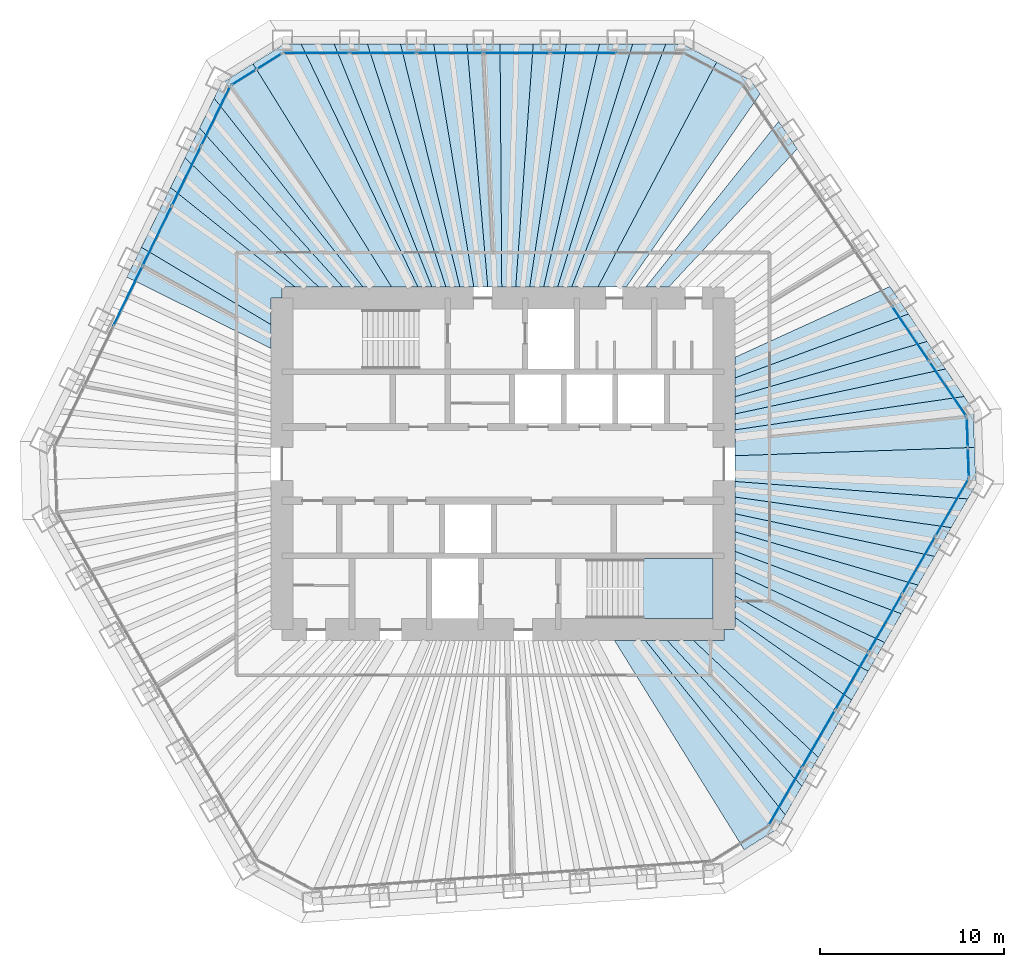
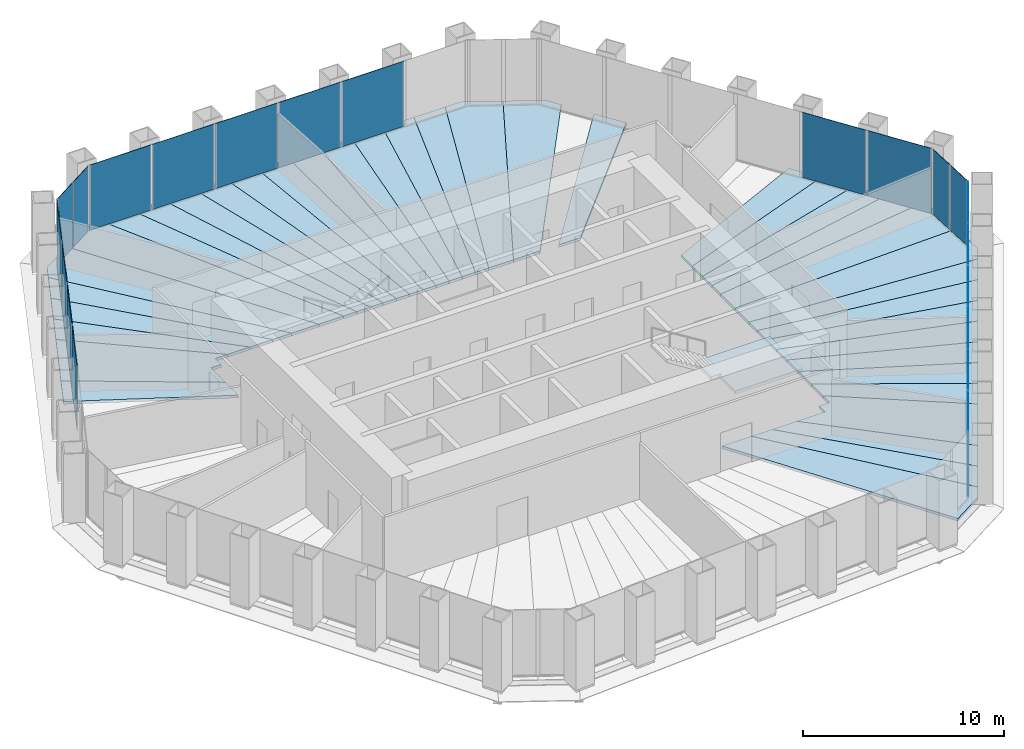
# One storey, part 9 of 13: 39 slabs, 21 plates, 7 elements without a shape of their own.
"""IFC4 building model written with IfcOpenShell, lengths in metres."""

from ifc_helpers import new_model, si_unit, direction, frame, origin, origin_2d, place, context, subcontext, project, spatial, polyline, rectangle, outline, extrude, material, layer, layer_set, type_object, element, aggregate, save


model = new_model("IFC4")

# Units and contexts
model_context = context("Model", 3, precision=1e-05, world=origin(), true_north=direction((0.0, 1.0)))
body_context = subcontext(model_context, "Body", "Model", "MODEL_VIEW")
ifc_project = project(units=[si_unit("LENGTHUNIT", "METRE"), si_unit("AREAUNIT", "SQUARE_METRE"), si_unit("VOLUMEUNIT", "CUBIC_METRE"), si_unit("PLANEANGLEUNIT", "RADIAN"), si_unit("MASSUNIT", "GRAM", prefix="KILO")], contexts=[model_context])

# Site, building, storey
site_placement = place(None, origin())
site = spatial("IfcSite", under=ifc_project, at=site_placement, CompositionType="ELEMENT")
building_placement = place(site_placement, origin())
building = spatial("IfcBuilding", under=site, at=building_placement, Name="Qingtian Harvest Tower", CompositionType="ELEMENT")
storey_placement = place(building_placement, frame((0.0, 0.0, 218.199951171875)))
storey = spatial("IfcBuildingStorey", under=building, at=storey_placement, Name="L47", CompositionType="ELEMENT", Elevation=218.199951171875)

# Slabs
ifc_material_1 = material(Name="Concrete fc' 35 MPa", Category="concrete")
ifc_layer_1 = layer(ifc_material_1, 0.169921875)
ifc_layer_set_1 = layer_set([ifc_layer_1], Name="Composite floor slab FS17 170")
slab_type_1 = type_object("IfcSlabType", Name="Composite floor slab FS17 170", PredefinedType="FLOOR", material=ifc_layer_set_1)
slab_1_placement = place(storey_placement, frame((0.0, 0.0, -0.169921875)))
element("IfcSlab", 1, at=slab_1_placement, inside=storey, type_object=slab_type_1, Name="Floor slab L47 panel D27", PredefinedType="FLOOR", context=body_context, shape_type="SweptSolid", body=[
    extrude(outline(polyline([(6.059326171875, -9.60009765625), (7.740966796875, -9.60009765625), (15.3271484375, -19.0625), (14.886962890625, -19.8251953125), (13.090576171875, -20.94775390625), (6.059326171875, -9.60009765625)])), origin(), (0.0, 0.0, 1.0), 0.169921875),
])
slab_2_placement = place(storey_placement, frame((0.0, 0.0, -0.169921875)))
element("IfcSlab", 2, at=slab_2_placement, inside=storey, type_object=slab_type_1, Name="Floor slab L47 panel D28", PredefinedType="FLOOR", context=body_context, shape_type="SweptSolid", body=[
    extrude(outline(polyline([(8.929443359375, -9.60009765625), (16.22802734375, -17.50244140625), (15.3271484375, -19.0625), (7.740966796875, -9.60009765625), (8.929443359375, -9.60009765625)])), origin(), (0.0, 0.0, 1.0), 0.169921875),
])
slab_3_placement = place(storey_placement, frame((0.0, 0.0, -0.169921875)))
element("IfcSlab", 3, at=slab_3_placement, inside=storey, type_object=slab_type_1, Name="Floor slab L47 panel D29", PredefinedType="FLOOR", context=body_context, shape_type="SweptSolid", body=[
    extrude(outline(polyline([(10.35205078125, -9.60009765625), (17.128662109375, -15.942138671875), (16.22802734375, -17.50244140625), (8.929443359375, -9.60009765625), (10.35205078125, -9.60009765625)])), origin(), (0.0, 0.0, 1.0), 0.169921875),
])
slab_4_placement = place(storey_placement, frame((0.0, 0.0, -0.169921875)))
element("IfcSlab", 4, at=slab_4_placement, inside=storey, type_object=slab_type_1, Name="Floor slab L47 panel D31", PredefinedType="FLOOR", context=body_context, shape_type="SweptSolid", body=[
    extrude(outline(polyline([(12.60009765625, -8.33984375), (18.931884765625, -12.819091796875), (17.128662109375, -15.942138671875), (10.35205078125, -9.60009765625), (12.0, -9.60009765625), (12.0, -9.0), (12.60009765625, -9.0), (12.60009765625, -8.33984375)])), origin(), (0.0, 0.0, 1.0), 0.169921875),
])
slab_5_placement = place(storey_placement, frame((0.0, 0.0, -0.169921875)))
element("IfcSlab", 5, at=slab_5_placement, inside=storey, type_object=slab_type_1, Name="Floor slab L47 panel D32", PredefinedType="FLOOR", context=body_context, shape_type="SweptSolid", body=[
    extrude(outline(polyline([(12.60009765625, -7.171142578125), (19.830322265625, -11.262939453125), (18.931884765625, -12.819091796875), (12.60009765625, -8.33984375), (12.60009765625, -7.171142578125)])), origin(), (0.0, 0.0, 1.0), 0.169921875),
])
slab_6_placement = place(storey_placement, frame((0.0, 0.0, -0.169921875)))
element("IfcSlab", 6, at=slab_6_placement, inside=storey, type_object=slab_type_1, Name="Floor slab L47 panel D33", PredefinedType="FLOOR", context=body_context, shape_type="SweptSolid", body=[
    extrude(outline(polyline([(12.60009765625, -5.91015625), (20.73095703125, -9.702880859375), (19.830322265625, -11.262939453125), (12.60009765625, -7.171142578125), (12.60009765625, -5.91015625)])), origin(), (0.0, 0.0, 1.0), 0.169921875),
])
slab_7_placement = place(storey_placement, frame((0.0, 0.0, -0.169921875)))
element("IfcSlab", 7, at=slab_7_placement, inside=storey, type_object=slab_type_1, Name="Floor slab L47 panel D34", PredefinedType="FLOOR", context=body_context, shape_type="SweptSolid", body=[
    extrude(outline(polyline([(12.60009765625, -4.75439453125), (21.6318359375, -8.142578125), (20.73095703125, -9.702880859375), (12.60009765625, -5.91015625), (12.60009765625, -4.75439453125)])), origin(), (0.0, 0.0, 1.0), 0.169921875),
])
slab_8_placement = place(storey_placement, frame((0.0, 0.0, -0.169921875)))
element("IfcSlab", 8, at=slab_8_placement, inside=storey, type_object=slab_type_1, Name="Floor slab L47 panel D35", PredefinedType="FLOOR", context=body_context, shape_type="SweptSolid", body=[
    extrude(outline(polyline([(12.60009765625, -3.691162109375), (22.532470703125, -6.58251953125), (21.6318359375, -8.142578125), (12.60009765625, -4.75439453125), (12.60009765625, -3.691162109375)])), origin(), (0.0, 0.0, 1.0), 0.169921875),
])
slab_9_placement = place(storey_placement, frame((0.0, 0.0, -0.169921875)))
element("IfcSlab", 9, at=slab_9_placement, inside=storey, type_object=slab_type_1, Name="Floor slab L47 panel D36", PredefinedType="FLOOR", context=body_context, shape_type="SweptSolid", body=[
    extrude(outline(polyline([(12.60009765625, -2.709716796875), (23.43310546875, -5.022705078125), (22.532470703125, -6.58251953125), (12.60009765625, -3.691162109375), (12.60009765625, -2.709716796875)])), origin(), (0.0, 0.0, 1.0), 0.169921875),
])
slab_10_placement = place(storey_placement, frame((0.0, 0.0, -0.169921875)))
element("IfcSlab", 10, at=slab_10_placement, inside=storey, type_object=slab_type_1, Name="Floor slab L47 panel D37", PredefinedType="FLOOR", context=body_context, shape_type="SweptSolid", body=[
    extrude(outline(polyline([(12.60009765625, -1.801025390625), (24.333740234375, -3.462646484375), (23.43310546875, -5.022705078125), (12.60009765625, -2.709716796875), (12.60009765625, -1.801025390625)])), origin(), (0.0, 0.0, 1.0), 0.169921875),
])
slab_11_placement = place(storey_placement, frame((0.0, 0.0, -0.169921875)))
element("IfcSlab", 11, at=slab_11_placement, inside=storey, type_object=slab_type_1, Name="Floor slab L47 panel D38", PredefinedType="FLOOR", context=body_context, shape_type="SweptSolid", body=[
    extrude(outline(polyline([(12.60009765625, -0.95703125), (25.234619140625, -1.902587890625), (24.333740234375, -3.462646484375), (12.60009765625, -1.801025390625), (12.60009765625, -0.95703125)])), origin(), (0.0, 0.0, 1.0), 0.169921875),
])
slab_12_placement = place(storey_placement, frame((0.0, 0.0, -0.169921875)))
element("IfcSlab", 12, at=slab_12_placement, inside=storey, type_object=slab_type_1, Name="Floor slab L47 panel D39", PredefinedType="FLOOR", context=body_context, shape_type="SweptSolid", body=[
    extrude(outline(polyline([(12.60009765625, -0.95703125), (12.60009765625, 0.442626953125), (25.603759765625, 0.89404296875), (25.6748046875, -1.139892578125), (25.234619140625, -1.902587890625), (12.60009765625, -0.95703125)])), origin(), (0.0, 0.0, 1.0), 0.169921875),
])
slab_13_placement = place(storey_placement, frame((0.0, 0.0, -0.169921875)))
element("IfcSlab", 13, at=slab_13_placement, inside=storey, type_object=slab_type_1, Name="Floor slab L47 panel D40", PredefinedType="FLOOR", context=body_context, shape_type="SweptSolid", body=[
    extrude(outline(polyline([(12.60009765625, 0.442626953125), (12.60009765625, 1.848876953125), (25.040283203125, 3.658203125), (25.53271484375, 2.92822265625), (25.603759765625, 0.89404296875), (12.60009765625, 0.442626953125)])), origin(), (0.0, 0.0, 1.0), 0.169921875),
])
slab_14_placement = place(storey_placement, frame((0.0, 0.0, -0.169921875)))
element("IfcSlab", 14, at=slab_14_placement, inside=storey, type_object=slab_type_1, Name="Floor slab L47 panel D41", PredefinedType="FLOOR", context=body_context, shape_type="SweptSolid", body=[
    extrude(outline(polyline([(12.60009765625, 2.710205078125), (24.032958984375, 5.151611328125), (25.040283203125, 3.658203125), (12.60009765625, 1.848876953125), (12.60009765625, 2.710205078125)])), origin(), (0.0, 0.0, 1.0), 0.169921875),
])
slab_15_placement = place(storey_placement, frame((0.0, 0.0, -0.169921875)))
element("IfcSlab", 15, at=slab_15_placement, inside=storey, type_object=slab_type_1, Name="Floor slab L47 panel D42", PredefinedType="FLOOR", context=body_context, shape_type="SweptSolid", body=[
    extrude(outline(polyline([(12.60009765625, 3.646728515625), (23.025634765625, 6.64501953125), (24.032958984375, 5.151611328125), (12.60009765625, 2.710205078125), (12.60009765625, 3.646728515625)])), origin(), (0.0, 0.0, 1.0), 0.169921875),
])
slab_16_placement = place(storey_placement, frame((0.0, 0.0, -0.169921875)))
element("IfcSlab", 16, at=slab_16_placement, inside=storey, type_object=slab_type_1, Name="Floor slab L47 panel D43", PredefinedType="FLOOR", context=body_context, shape_type="SweptSolid", body=[
    extrude(outline(polyline([(12.60009765625, 4.669189453125), (22.018310546875, 8.138427734375), (23.025634765625, 6.64501953125), (12.60009765625, 3.646728515625), (12.60009765625, 4.669189453125)])), origin(), (0.0, 0.0, 1.0), 0.169921875),
])
slab_17_placement = place(storey_placement, frame((0.0, 0.0, -0.169921875)))
element("IfcSlab", 17, at=slab_17_placement, inside=storey, type_object=slab_type_1, Name="Floor slab L47 panel D44", PredefinedType="FLOOR", context=body_context, shape_type="SweptSolid", body=[
    extrude(outline(polyline([(12.60009765625, 5.7900390625), (21.010986328125, 9.6318359375), (22.018310546875, 8.138427734375), (12.60009765625, 4.669189453125), (12.60009765625, 5.7900390625)])), origin(), (0.0, 0.0, 1.0), 0.169921875),
])
slab_18_placement = place(storey_placement, frame((0.0, 0.0, -0.169921875)))
element("IfcSlab", 18, at=slab_18_placement, inside=storey, type_object=slab_type_1, Name="Floor slab L47 panel D50", PredefinedType="FLOOR", context=body_context, shape_type="SweptSolid", body=[
    extrude(outline(polyline([(7.751220703125, 9.60009765625), (14.967529296875, 18.591796875), (15.974853515625, 17.098388671875), (8.998291015625, 9.60009765625), (7.751220703125, 9.60009765625)])), origin(), (0.0, 0.0, 1.0), 0.169921875),
])
slab_19_placement = place(storey_placement, frame((0.0, 0.0, -0.169921875)))
element("IfcSlab", 19, at=slab_19_placement, inside=storey, type_object=slab_type_1, Name="Floor slab L47 panel D52", PredefinedType="FLOOR", context=body_context, shape_type="SweptSolid", body=[
    extrude(outline(polyline([(6.6904296875, 9.60009765625), (5.15185546875, 9.60009765625), (11.59716796875, 21.809814453125), (13.4677734375, 20.8154296875), (13.960205078125, 20.085205078125), (6.6904296875, 9.60009765625)])), origin(), (0.0, 0.0, 1.0), 0.169921875),
])
slab_20_placement = place(storey_placement, frame((0.0, 0.0, -0.169921875)))
element("IfcSlab", 20, at=slab_20_placement, inside=storey, type_object=slab_type_1, Name="Floor slab L47 panel D53", PredefinedType="FLOOR", context=body_context, shape_type="SweptSolid", body=[
    extrude(outline(polyline([(3.7236328125, 9.60009765625), (8.84521484375, 22.804931640625), (9.7255859375, 22.804931640625), (11.59716796875, 21.809814453125), (5.15185546875, 9.60009765625), (3.7236328125, 9.60009765625)])), origin(), (0.0, 0.0, 1.0), 0.169921875),
])
slab_21_placement = place(storey_placement, frame((0.0, 0.0, -0.169921875)))
element("IfcSlab", 21, at=slab_21_placement, inside=storey, type_object=slab_type_1, Name="Floor slab L47 panel D54", PredefinedType="FLOOR", context=body_context, shape_type="SweptSolid", body=[
    extrude(outline(polyline([(2.96533203125, 9.60009765625), (7.0439453125, 22.804931640625), (8.84521484375, 22.804931640625), (3.7236328125, 9.60009765625), (2.96533203125, 9.60009765625)])), origin(), (0.0, 0.0, 1.0), 0.169921875),
])
slab_22_placement = place(storey_placement, frame((0.0, 0.0, -0.169921875)))
element("IfcSlab", 22, at=slab_22_placement, inside=storey, type_object=slab_type_1, Name="Floor slab L47 panel D55", PredefinedType="FLOOR", context=body_context, shape_type="SweptSolid", body=[
    extrude(outline(polyline([(2.206787109375, 9.60009765625), (5.242431640625, 22.804931640625), (7.0439453125, 22.804931640625), (2.96533203125, 9.60009765625), (2.206787109375, 9.60009765625)])), origin(), (0.0, 0.0, 1.0), 0.169921875),
])
slab_23_placement = place(storey_placement, frame((0.0, 0.0, -0.169921875)))
element("IfcSlab", 23, at=slab_23_placement, inside=storey, type_object=slab_type_1, Name="Floor slab L47 panel D56", PredefinedType="FLOOR", context=body_context, shape_type="SweptSolid", body=[
    extrude(outline(polyline([(1.448486328125, 9.60009765625), (3.441162109375, 22.804931640625), (5.242431640625, 22.804931640625), (2.206787109375, 9.60009765625), (1.448486328125, 9.60009765625)])), origin(), (0.0, 0.0, 1.0), 0.169921875),
])
slab_24_placement = place(storey_placement, frame((0.0, 0.0, -0.169921875)))
element("IfcSlab", 24, at=slab_24_placement, inside=storey, type_object=slab_type_1, Name="Floor slab L47 panel D57", PredefinedType="FLOOR", context=body_context, shape_type="SweptSolid", body=[
    extrude(outline(polyline([(0.690185546875, 9.60009765625), (1.639892578125, 22.804931640625), (3.441162109375, 22.804931640625), (1.448486328125, 9.60009765625), (0.690185546875, 9.60009765625)])), origin(), (0.0, 0.0, 1.0), 0.169921875),
])
slab_25_placement = place(storey_placement, frame((0.0, 0.0, -0.169921875)))
element("IfcSlab", 25, at=slab_25_placement, inside=storey, type_object=slab_type_1, Name="Floor slab L47 panel D58", PredefinedType="FLOOR", context=body_context, shape_type="SweptSolid", body=[
    extrude(outline(polyline([(-0.068115234375, 9.60009765625), (-0.16162109375, 22.804931640625), (1.639892578125, 22.804931640625), (0.690185546875, 9.60009765625), (-0.068115234375, 9.60009765625)])), origin(), (0.0, 0.0, 1.0), 0.169921875),
])
slab_26_placement = place(storey_placement, frame((0.0, 0.0, -0.169921875)))
element("IfcSlab", 26, at=slab_26_placement, inside=storey, type_object=slab_type_1, Name="Floor slab L47 panel D59", PredefinedType="FLOOR", context=body_context, shape_type="SweptSolid", body=[
    extrude(outline(polyline([(-0.826416015625, 9.60009765625), (-1.962890625, 22.804931640625), (-0.16162109375, 22.804931640625), (-0.068115234375, 9.60009765625), (-0.826416015625, 9.60009765625)])), origin(), (0.0, 0.0, 1.0), 0.169921875),
])
slab_27_placement = place(storey_placement, frame((0.0, 0.0, -0.169921875)))
element("IfcSlab", 27, at=slab_27_placement, inside=storey, type_object=slab_type_1, Name="Floor slab L47 panel D60", PredefinedType="FLOOR", context=body_context, shape_type="SweptSolid", body=[
    extrude(outline(polyline([(-1.584716796875, 9.60009765625), (-3.764404296875, 22.804931640625), (-1.962890625, 22.804931640625), (-0.826416015625, 9.60009765625), (-1.584716796875, 9.60009765625)])), origin(), (0.0, 0.0, 1.0), 0.169921875),
])
slab_28_placement = place(storey_placement, frame((0.0, 0.0, -0.169921875)))
element("IfcSlab", 28, at=slab_28_placement, inside=storey, type_object=slab_type_1, Name="Floor slab L47 panel D61", PredefinedType="FLOOR", context=body_context, shape_type="SweptSolid", body=[
    extrude(outline(polyline([(-2.343017578125, 9.60009765625), (-5.565673828125, 22.804931640625), (-3.764404296875, 22.804931640625), (-1.584716796875, 9.60009765625), (-2.343017578125, 9.60009765625)])), origin(), (0.0, 0.0, 1.0), 0.169921875),
])
slab_29_placement = place(storey_placement, frame((0.0, 0.0, -0.169921875)))
element("IfcSlab", 29, at=slab_29_placement, inside=storey, type_object=slab_type_1, Name="Floor slab L47 panel D62", PredefinedType="FLOOR", context=body_context, shape_type="SweptSolid", body=[
    extrude(outline(polyline([(-3.101318359375, 9.60009765625), (-7.366943359375, 22.804931640625), (-5.565673828125, 22.804931640625), (-2.343017578125, 9.60009765625), (-3.101318359375, 9.60009765625)])), origin(), (0.0, 0.0, 1.0), 0.169921875),
])
slab_30_placement = place(storey_placement, frame((0.0, 0.0, -0.169921875)))
element("IfcSlab", 30, at=slab_30_placement, inside=storey, type_object=slab_type_1, Name="Floor slab L47 panel D63", PredefinedType="FLOOR", context=body_context, shape_type="SweptSolid", body=[
    extrude(outline(polyline([(-3.859619140625, 9.60009765625), (-9.16845703125, 22.804931640625), (-7.366943359375, 22.804931640625), (-3.101318359375, 9.60009765625), (-3.859619140625, 9.60009765625)])), origin(), (0.0, 0.0, 1.0), 0.169921875),
])
slab_31_placement = place(storey_placement, frame((0.0, 0.0, -0.169921875)))
element("IfcSlab", 31, at=slab_31_placement, inside=storey, type_object=slab_type_1, Name="Floor slab L47 panel D64", PredefinedType="FLOOR", context=body_context, shape_type="SweptSolid", body=[
    extrude(outline(polyline([(-4.617919921875, 9.60009765625), (-10.9697265625, 22.804931640625), (-9.16845703125, 22.804931640625), (-3.859619140625, 9.60009765625), (-4.617919921875, 9.60009765625)])), origin(), (0.0, 0.0, 1.0), 0.169921875),
])
slab_32_placement = place(storey_placement, frame((0.0, 0.0, -0.169921875)))
element("IfcSlab", 32, at=slab_32_placement, inside=storey, type_object=slab_type_1, Name="Floor slab L47 panel D65", PredefinedType="FLOOR", context=body_context, shape_type="SweptSolid", body=[
    extrude(outline(polyline([(-4.617919921875, 9.60009765625), (-6.050537109375, 9.60009765625), (-13.57666015625, 21.72607421875), (-11.85009765625, 22.804931640625), (-10.9697265625, 22.804931640625), (-4.617919921875, 9.60009765625)])), origin(), (0.0, 0.0, 1.0), 0.169921875),
])
slab_33_placement = place(storey_placement, frame((0.0, 0.0, -0.169921875)))
element("IfcSlab", 33, at=slab_33_placement, inside=storey, type_object=slab_type_1, Name="Floor slab L47 panel D66", PredefinedType="FLOOR", context=body_context, shape_type="SweptSolid", body=[
    extrude(outline(polyline([(-6.050537109375, 9.60009765625), (-7.60498046875, 9.60009765625), (-15.688232421875, 19.8564453125), (-15.30224609375, 20.64794921875), (-13.57666015625, 21.72607421875), (-6.050537109375, 9.60009765625)])), origin(), (0.0, 0.0, 1.0), 0.169921875),
])
slab_34_placement = place(storey_placement, frame((0.0, 0.0, -0.169921875)))
element("IfcSlab", 34, at=slab_34_placement, inside=storey, type_object=slab_type_1, Name="Floor slab L47 panel D67", PredefinedType="FLOOR", context=body_context, shape_type="SweptSolid", body=[
    extrude(outline(polyline([(-8.699951171875, 9.60009765625), (-16.47802734375, 18.2373046875), (-15.688232421875, 19.8564453125), (-7.60498046875, 9.60009765625), (-8.699951171875, 9.60009765625)])), origin(), (0.0, 0.0, 1.0), 0.169921875),
])
slab_35_placement = place(storey_placement, frame((0.0, 0.0, -0.169921875)))
element("IfcSlab", 35, at=slab_35_placement, inside=storey, type_object=slab_type_1, Name="Floor slab L47 panel D68", PredefinedType="FLOOR", context=body_context, shape_type="SweptSolid", body=[
    extrude(outline(polyline([(-10.009765625, 9.60009765625), (-17.267822265625, 16.6181640625), (-16.47802734375, 18.2373046875), (-8.699951171875, 9.60009765625), (-10.009765625, 9.60009765625)])), origin(), (0.0, 0.0, 1.0), 0.169921875),
])
slab_36_placement = place(storey_placement, frame((0.0, 0.0, -0.169921875)))
element("IfcSlab", 36, at=slab_36_placement, inside=storey, type_object=slab_type_1, Name="Floor slab L47 panel D69", PredefinedType="FLOOR", context=body_context, shape_type="SweptSolid", body=[
    extrude(outline(polyline([(-11.28759765625, 9.60009765625), (-18.055419921875, 15.003173828125), (-17.267822265625, 16.6181640625), (-10.009765625, 9.60009765625), (-11.28759765625, 9.60009765625)])), origin(), (0.0, 0.0, 1.0), 0.169921875),
])
slab_37_placement = place(storey_placement, frame((0.0, 0.0, -0.169921875)))
element("IfcSlab", 37, at=slab_37_placement, inside=storey, type_object=slab_type_1, Name="Floor slab L47 panel D70", PredefinedType="FLOOR", context=body_context, shape_type="SweptSolid", body=[
    extrude(outline(polyline([(-12.0, 9.0), (-12.60009765625, 9.0), (-12.60009765625, 7.560302734375), (-19.636474609375, 11.761474609375), (-18.055419921875, 15.003173828125), (-11.28759765625, 9.60009765625), (-12.0, 9.60009765625), (-12.0, 9.0)])), origin(), (0.0, 0.0, 1.0), 0.169921875),
])
slab_38_placement = place(storey_placement, frame((0.0, 0.0, -0.169921875)))
element("IfcSlab", 38, at=slab_38_placement, inside=storey, type_object=slab_type_1, Name="Floor slab L47 panel D72", PredefinedType="FLOOR", context=body_context, shape_type="SweptSolid", body=[
    extrude(outline(polyline([(-12.60009765625, 6.268310546875), (-20.426025390625, 10.142578125), (-19.636474609375, 11.761474609375), (-12.60009765625, 7.560302734375), (-12.60009765625, 6.268310546875)])), origin(), (0.0, 0.0, 1.0), 0.169921875),
])

# Curtain wall, plates
ifc_material_2 = material(Name="Bronze-anodised aluminium curtain wall", Category="aluminium")
curtain_wall_type = type_object("IfcCurtainWallType", Name="Curtain wall CW4 office", PredefinedType="USERDEFINED", material=ifc_material_2)
curtain_wall_1_placement = place(storey_placement, origin())
curtain_wall_1 = element("IfcCurtainWall", 39, at=curtain_wall_1_placement, inside=storey, type_object=curtain_wall_type, Name="Curtain wall CW4 L47 N0-5", ObjectType="RECESSED CURTAIN WALL", PredefinedType="USERDEFINED")
ifc_material_3 = material(Name="Bronze-tinted laminated insulating glass", Category="glass")
ifc_layer_2 = layer(ifc_material_3, 0.030029296875)
ifc_layer_set_2 = layer_set([ifc_layer_2], Name="Glazed panel CWP tinted IGU")
plate_type = type_object("IfcPlateType", Name="Glazed panel CWP tinted IGU", PredefinedType="CURTAIN_PANEL", material=ifc_layer_set_2)
plate_1_placement = place(storey_placement, frame((-10.138916015625, 22.300048828125, 0.06494140625), z_axis=(0.0, 0.0, 1.0), x_axis=(1.0, 0.0, 0.0)))
plate_1 = element("IfcPlate", 40, at=plate_1_placement, type_object=plate_type, Name="CW4 panel 1.1", PredefinedType="CURTAIN_PANEL", context=body_context, shape_type="SweptSolid", body=[
    extrude(rectangle(XDim=3.5361328125, YDim=0.030029296875, at=origin_2d()), origin(), (0.0, 0.0, 1.0), 3.965087890625),
])
plate_2_placement = place(storey_placement, frame((-6.521728515625, 22.300048828125, 0.06494140625), z_axis=(0.0, 0.0, 1.0), x_axis=(1.0, 0.0, 0.0)))
plate_2 = element("IfcPlate", 41, at=plate_2_placement, type_object=plate_type, Name="CW4 panel 2.1", PredefinedType="CURTAIN_PANEL", context=body_context, shape_type="SweptSolid", body=[
    extrude(rectangle(XDim=3.568603515625, YDim=0.030029296875, at=origin_2d()), origin(), (0.0, 0.0, 1.0), 3.965087890625),
])
plate_3_placement = place(storey_placement, frame((-2.88818359375, 22.300048828125, 0.06494140625), z_axis=(0.0, 0.0, 1.0), x_axis=(1.0, 0.0, 0.0)))
plate_3 = element("IfcPlate", 42, at=plate_3_placement, type_object=plate_type, Name="CW4 panel 3.1", PredefinedType="CURTAIN_PANEL", context=body_context, shape_type="SweptSolid", body=[
    extrude(rectangle(XDim=3.568603515625, YDim=0.030029296875, at=origin_2d()), origin(), (0.0, 0.0, 1.0), 3.965087890625),
])
plate_4_placement = place(storey_placement, frame((0.745361328125, 22.300048828125, 0.06494140625), z_axis=(0.0, 0.0, 1.0), x_axis=(1.0, 0.0, 0.0)))
plate_4 = element("IfcPlate", 43, at=plate_4_placement, type_object=plate_type, Name="CW4 panel 4.1", PredefinedType="CURTAIN_PANEL", context=body_context, shape_type="SweptSolid", body=[
    extrude(rectangle(XDim=3.568603515625, YDim=0.030029296875, at=origin_2d()), origin(), (0.0, 0.0, 1.0), 3.965087890625),
])
plate_5_placement = place(storey_placement, frame((4.37890625, 22.300048828125, 0.06494140625), z_axis=(0.0, 0.0, 1.0), x_axis=(1.0, 0.0, 0.0)))
plate_5 = element("IfcPlate", 44, at=plate_5_placement, type_object=plate_type, Name="CW4 panel 5.1", PredefinedType="CURTAIN_PANEL", context=body_context, shape_type="SweptSolid", body=[
    extrude(rectangle(XDim=3.568603515625, YDim=0.030029296875, at=origin_2d()), origin(), (0.0, 0.0, 1.0), 3.965087890625),
])
aggregate(curtain_wall_1, [plate_1, plate_2, plate_3, plate_4, plate_5])

curtain_wall_2_placement = place(storey_placement, origin())
curtain_wall_2 = element("IfcCurtainWall", 45, at=curtain_wall_2_placement, inside=storey, type_object=curtain_wall_type, Name="Curtain wall CW4 L47 NE0-5", ObjectType="RECESSED CURTAIN WALL", PredefinedType="USERDEFINED")
plate_6_placement = place(storey_placement, frame((22.134521484375, 7.063232421875, 0.06494140625), z_axis=(0.0, 0.0, 1.0), x_axis=(0.559192903471, -0.829037572555, 0.0)))
plate_6 = element("IfcPlate", 46, at=plate_6_placement, type_object=plate_type, Name="CW4 panel 5.1", PredefinedType="CURTAIN_PANEL", context=body_context, shape_type="SweptSolid", body=[
    extrude(rectangle(XDim=3.568603515625, YDim=0.030029296875, at=origin_2d()), origin(), (0.0, 0.0, 1.0), 3.965087890625),
])
plate_7_placement = place(storey_placement, frame((24.1572265625, 4.064453125, 0.06494140625), z_axis=(0.0, 0.0, 1.0), x_axis=(0.559192903471, -0.829037572555, 0.0)))
plate_7 = element("IfcPlate", 47, at=plate_7_placement, type_object=plate_type, Name="CW4 panel 6.1", PredefinedType="CURTAIN_PANEL", context=body_context, shape_type="SweptSolid", body=[
    extrude(rectangle(XDim=3.5361328125, YDim=0.030029296875, at=origin_2d()), origin(), (0.0, 0.0, 1.0), 3.965087890625),
])
aggregate(curtain_wall_2, [plate_6, plate_7])

curtain_wall_3_placement = place(storey_placement, origin())
curtain_wall_3 = element("IfcCurtainWall", 48, at=curtain_wall_3_placement, inside=storey, type_object=curtain_wall_type, Name="Curtain wall CW4 L47 NEC", ObjectType="RECESSED CURTAIN WALL", PredefinedType="USERDEFINED")
plate_8_placement = place(storey_placement, frame((25.2119140625, 1.69677734375, 0.06494140625), z_axis=(0.0, 0.0, 1.0), x_axis=(0.034899496703, -0.999390827019, 0.0)))
plate_8 = element("IfcPlate", 49, at=plate_8_placement, type_object=plate_type, Name="CW4 panel 1.1", PredefinedType="CURTAIN_PANEL", context=body_context, shape_type="SweptSolid", body=[
    extrude(rectangle(XDim=1.56689453125, YDim=0.030029296875, at=origin_2d()), origin(), (0.0, 0.0, 1.0), 3.965087890625),
])
plate_9_placement = place(storey_placement, frame((25.268798828125, 0.06591796875, 0.06494140625), z_axis=(0.0, 0.0, 1.0), x_axis=(0.034899496703, -0.999390827019, 0.0)))
plate_9 = element("IfcPlate", 50, at=plate_9_placement, type_object=plate_type, Name="CW4 panel 2.1", PredefinedType="CURTAIN_PANEL", context=body_context, shape_type="SweptSolid", body=[
    extrude(rectangle(XDim=1.56689453125, YDim=0.030029296875, at=origin_2d()), origin(), (0.0, 0.0, 1.0), 3.965087890625),
])
aggregate(curtain_wall_3, [plate_8, plate_9])

curtain_wall_4_placement = place(storey_placement, origin())
curtain_wall_4 = element("IfcCurtainWall", 51, at=curtain_wall_4_placement, inside=storey, type_object=curtain_wall_type, Name="Curtain wall CW4 L47 SE0-5", ObjectType="RECESSED CURTAIN WALL", PredefinedType="USERDEFINED")
plate_10_placement = place(storey_placement, frame((24.3818359375, -2.369384765625, 0.06494140625), z_axis=(0.0, 0.0, 1.0), x_axis=(-0.5, -0.866025403784, 0.0)))
plate_10 = element("IfcPlate", 52, at=plate_10_placement, type_object=plate_type, Name="CW4 panel 1.1", PredefinedType="CURTAIN_PANEL", context=body_context, shape_type="SweptSolid", body=[
    extrude(rectangle(XDim=3.5361328125, YDim=0.030029296875, at=origin_2d()), origin(), (0.0, 0.0, 1.0), 3.965087890625),
])
plate_11_placement = place(storey_placement, frame((22.5732421875, -5.501953125, 0.06494140625), z_axis=(0.0, 0.0, 1.0), x_axis=(-0.5, -0.866025403784, 0.0)))
plate_11 = element("IfcPlate", 53, at=plate_11_placement, type_object=plate_type, Name="CW4 panel 2.1", PredefinedType="CURTAIN_PANEL", context=body_context, shape_type="SweptSolid", body=[
    extrude(rectangle(XDim=3.568603515625, YDim=0.030029296875, at=origin_2d()), origin(), (0.0, 0.0, 1.0), 3.965087890625),
])
plate_12_placement = place(storey_placement, frame((20.75634765625, -8.64892578125, 0.06494140625), z_axis=(0.0, 0.0, 1.0), x_axis=(-0.5, -0.866025403784, 0.0)))
plate_12 = element("IfcPlate", 54, at=plate_12_placement, type_object=plate_type, Name="CW4 panel 3.1", PredefinedType="CURTAIN_PANEL", context=body_context, shape_type="SweptSolid", body=[
    extrude(rectangle(XDim=3.568603515625, YDim=0.030029296875, at=origin_2d()), origin(), (0.0, 0.0, 1.0), 3.965087890625),
])
plate_13_placement = place(storey_placement, frame((18.939697265625, -11.795654296875, 0.06494140625), z_axis=(0.0, 0.0, 1.0), x_axis=(-0.5, -0.866025403784, 0.0)))
plate_13 = element("IfcPlate", 55, at=plate_13_placement, type_object=plate_type, Name="CW4 panel 4.1", PredefinedType="CURTAIN_PANEL", context=body_context, shape_type="SweptSolid", body=[
    extrude(rectangle(XDim=3.568603515625, YDim=0.030029296875, at=origin_2d()), origin(), (0.0, 0.0, 1.0), 3.965087890625),
])
plate_14_placement = place(storey_placement, frame((17.122802734375, -14.9423828125, 0.06494140625), z_axis=(0.0, 0.0, 1.0), x_axis=(-0.5, -0.866025403784, 0.0)))
plate_14 = element("IfcPlate", 56, at=plate_14_placement, type_object=plate_type, Name="CW4 panel 5.1", PredefinedType="CURTAIN_PANEL", context=body_context, shape_type="SweptSolid", body=[
    extrude(rectangle(XDim=3.568603515625, YDim=0.030029296875, at=origin_2d()), origin(), (0.0, 0.0, 1.0), 3.965087890625),
])
plate_15_placement = place(storey_placement, frame((15.314208984375, -18.074951171875, 0.06494140625), z_axis=(0.0, 0.0, 1.0), x_axis=(-0.5, -0.866025403784, 0.0)))
plate_15 = element("IfcPlate", 57, at=plate_15_placement, type_object=plate_type, Name="CW4 panel 6.1", PredefinedType="CURTAIN_PANEL", context=body_context, shape_type="SweptSolid", body=[
    extrude(rectangle(XDim=3.5361328125, YDim=0.030029296875, at=origin_2d()), origin(), (0.0, 0.0, 1.0), 3.965087890625),
])
aggregate(curtain_wall_4, [plate_10, plate_11, plate_12, plate_13, plate_14, plate_15])

curtain_wall_5_placement = place(storey_placement, origin())
curtain_wall_5 = element("IfcCurtainWall", 58, at=curtain_wall_5_placement, inside=storey, type_object=curtain_wall_type, Name="Curtain wall CW4 L47 NW0-5", ObjectType="RECESSED CURTAIN WALL", PredefinedType="USERDEFINED")
plate_16_placement = place(storey_placement, frame((-20.369873046875, 9.105712890625, 0.06494140625), z_axis=(0.0, 0.0, 1.0), x_axis=(0.438371146789, 0.898794046299, 0.0)))
plate_16 = element("IfcPlate", 59, at=plate_16_placement, type_object=plate_type, Name="CW4 panel 3.1", PredefinedType="CURTAIN_PANEL", context=body_context, shape_type="SweptSolid", body=[
    extrude(rectangle(XDim=3.568603515625, YDim=0.030029296875, at=origin_2d()), origin(), (0.0, 0.0, 1.0), 3.965087890625),
])
plate_17_placement = place(storey_placement, frame((-18.777099609375, 12.37158203125, 0.06494140625), z_axis=(0.0, 0.0, 1.0), x_axis=(0.438371146789, 0.898794046299, 0.0)))
plate_17 = element("IfcPlate", 60, at=plate_17_placement, type_object=plate_type, Name="CW4 panel 4.1", PredefinedType="CURTAIN_PANEL", context=body_context, shape_type="SweptSolid", body=[
    extrude(rectangle(XDim=3.568603515625, YDim=0.030029296875, at=origin_2d()), origin(), (0.0, 0.0, 1.0), 3.965087890625),
])
plate_18_placement = place(storey_placement, frame((-17.18408203125, 15.63720703125, 0.06494140625), z_axis=(0.0, 0.0, 1.0), x_axis=(0.438371146789, 0.898794046299, 0.0)))
plate_18 = element("IfcPlate", 61, at=plate_18_placement, type_object=plate_type, Name="CW4 panel 5.1", PredefinedType="CURTAIN_PANEL", context=body_context, shape_type="SweptSolid", body=[
    extrude(rectangle(XDim=3.568603515625, YDim=0.030029296875, at=origin_2d()), origin(), (0.0, 0.0, 1.0), 3.965087890625),
])
plate_19_placement = place(storey_placement, frame((-15.598388671875, 18.888427734375, 0.06494140625), z_axis=(0.0, 0.0, 1.0), x_axis=(0.438371146789, 0.898794046299, 0.0)))
plate_19 = element("IfcPlate", 62, at=plate_19_placement, type_object=plate_type, Name="CW4 panel 6.1", PredefinedType="CURTAIN_PANEL", context=body_context, shape_type="SweptSolid", body=[
    extrude(rectangle(XDim=3.5361328125, YDim=0.030029296875, at=origin_2d()), origin(), (0.0, 0.0, 1.0), 3.965087890625),
])
aggregate(curtain_wall_5, [plate_16, plate_17, plate_18, plate_19])

curtain_wall_6_placement = place(storey_placement, origin())
curtain_wall_6 = element("IfcCurtainWall", 63, at=curtain_wall_6_placement, inside=storey, type_object=curtain_wall_type, Name="Curtain wall CW4 L47 NWC", ObjectType="RECESSED CURTAIN WALL", PredefinedType="USERDEFINED")
plate_20_placement = place(storey_placement, frame((-14.075439453125, 20.985595703125, 0.06494140625), z_axis=(0.0, 0.0, 1.0), x_axis=(0.848048096156, 0.529919264233, 0.0)))
plate_20 = element("IfcPlate", 64, at=plate_20_placement, type_object=plate_type, Name="CW4 panel 1.1", PredefinedType="CURTAIN_PANEL", context=body_context, shape_type="SweptSolid", body=[
    extrude(rectangle(XDim=1.56689453125, YDim=0.030029296875, at=origin_2d()), origin(), (0.0, 0.0, 1.0), 3.965087890625),
])
plate_21_placement = place(storey_placement, frame((-12.69140625, 21.850341796875, 0.06494140625), z_axis=(0.0, 0.0, 1.0), x_axis=(0.848048096156, 0.529919264233, 0.0)))
plate_21 = element("IfcPlate", 65, at=plate_21_placement, type_object=plate_type, Name="CW4 panel 2.1", PredefinedType="CURTAIN_PANEL", context=body_context, shape_type="SweptSolid", body=[
    extrude(rectangle(XDim=1.56689453125, YDim=0.030029296875, at=origin_2d()), origin(), (0.0, 0.0, 1.0), 3.965087890625),
])
aggregate(curtain_wall_6, [plate_20, plate_21])

# Stair, slab
ifc_material_4 = material(Name="Concrete fc' 35 MPa", Category="concrete")
stair_type = type_object("IfcStairType", Name="Special stair ST4 4200", PredefinedType="HALF_TURN_STAIR", material=ifc_material_4)
stair_placement = place(storey_placement, origin())
stair = element("IfcStair", 66, at=stair_placement, inside=storey, type_object=stair_type, Name="Special stair S2 L47", PredefinedType="HALF_TURN_STAIR")
ifc_material_5 = material(Name="Concrete fc' 35 MPa", Category="concrete")
ifc_layer_3 = layer(ifc_material_5, 0.199951171875)
ifc_layer_set_3 = layer_set([ifc_layer_3], Name="Stair landing SL2 200")
slab_type_2 = type_object("IfcSlabType", Name="Stair landing SL2 200", PredefinedType="LANDING", material=ifc_layer_set_3)
slab_39_placement = place(storey_placement, frame((0.0, 0.0, 1.900146484375)))
slab_39 = element("IfcSlab", 67, at=slab_39_placement, type_object=slab_type_2, Name="S2 landing 2", PredefinedType="LANDING", context=body_context, shape_type="SweptSolid", body=[
    extrude(outline(polyline([(7.530029296875, -8.39990234375), (7.530029296875, -6.824951171875), (7.6298828125, -6.824951171875), (7.6298828125, -6.72509765625), (7.094970703125, -6.72509765625), (7.094970703125, -5.14990234375), (11.39990234375, -5.14990234375), (11.39990234375, -8.39990234375), (7.530029296875, -8.39990234375)])), origin(), (0.0, 0.0, 1.0), 0.199951171875),
])
aggregate(stair, [slab_39])

save(model, "model.ifc")
